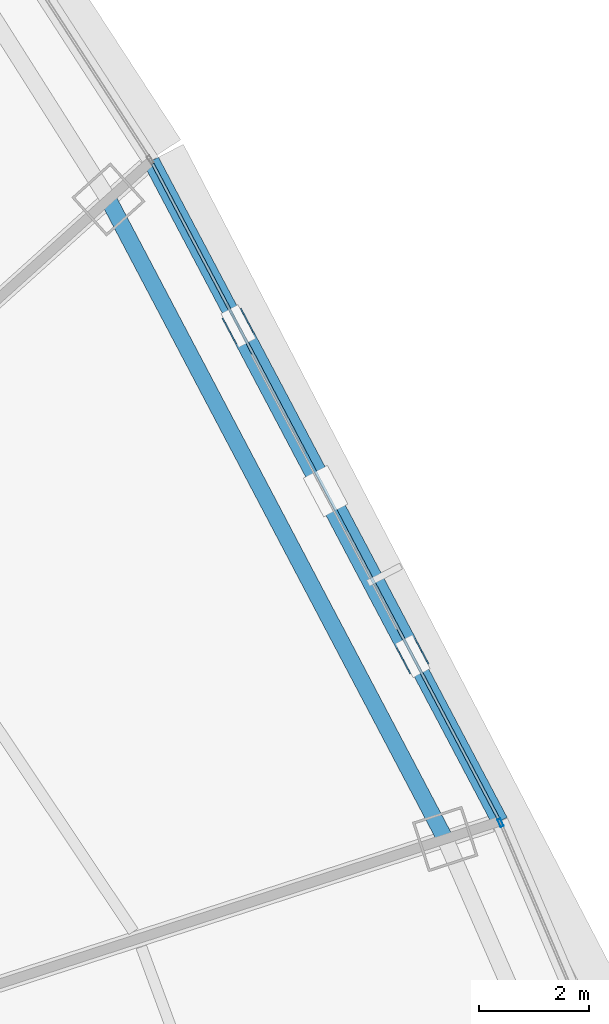
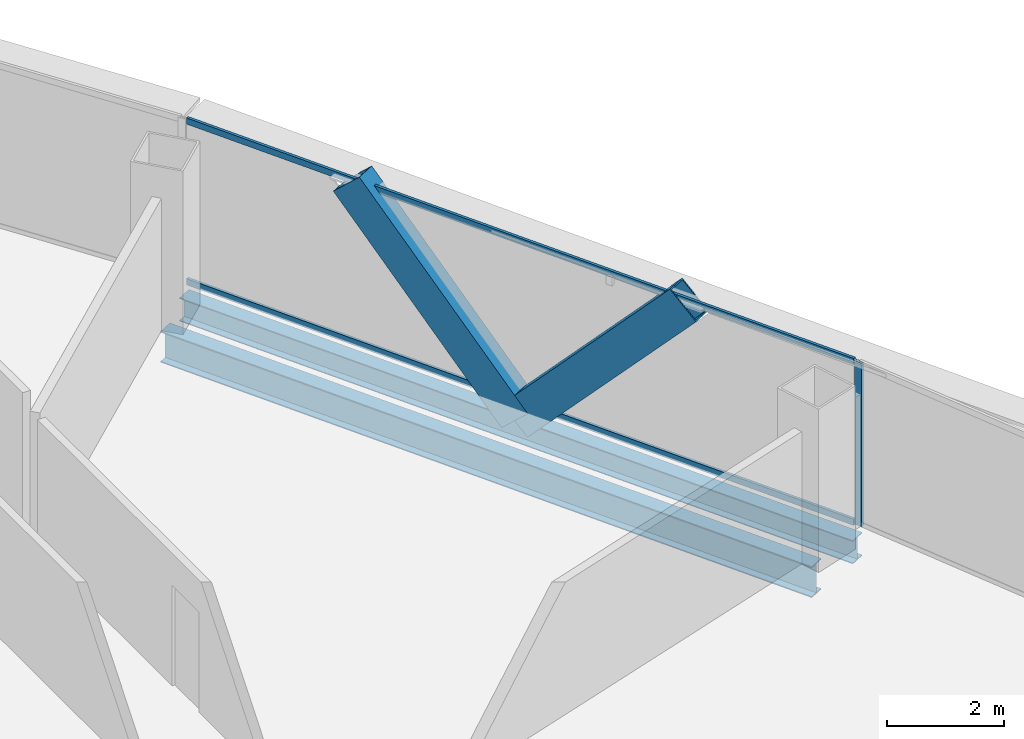
# One storey, part 28 of 39: 5 members, 2 beams, 2 elements without a shape of their own.
"""IFC4 building model written with IfcOpenShell, lengths in metres."""

import ifcopenshell
import ifcopenshell.guid

model = None  # the IFC model being written
_history = None  # IfcOwnerHistory: only IFC2X3 demands one
_inside = {}  # id of a spatial element -> (the spatial element, [elements in it])
_under = {}  # id of a project, library or spatial element -> (it, [spatial elements below it])
_declared = {}  # id of a project -> (the project, [libraries it declares])
_typed = {}  # id of a type object -> (the type object, [elements of that type])
_made_of = {}  # id of a material, layer set ... -> (it, [elements and type objects made of it])


def new_model(schema):
    """Start an empty IFC model of exactly this schema.

    Asked for "IFC4X3", IfcOpenShell would pick the latest addendum, in which some entities
    have other attributes; the version numbers below select the first issue.
    IFC2X3 requires an IfcOwnerHistory on every rooted entity: one is made here for all.
    """
    global model, _history
    if schema == "IFC4X3":
        model = ifcopenshell.file(schema_version=(4, 3, 0, 0))
    else:
        model = ifcopenshell.file(schema=schema)
    _inside.clear()
    _under.clear()
    _declared.clear()
    _typed.clear()
    _made_of.clear()
    _history = None
    if model.schema == "IFC2X3":
        org = make("IfcOrganization", Name="unknown")
        user = make(
            "IfcPersonAndOrganization",
            ThePerson=make("IfcPerson", FamilyName="unknown"),
            TheOrganization=org,
        )
        app = make(
            "IfcApplication",
            ApplicationDeveloper=org,
            Version="unknown",
            ApplicationFullName="unknown",
            ApplicationIdentifier="unknown",
        )
        _history = make(
            "IfcOwnerHistory",
            OwningUser=user,
            OwningApplication=app,
            ChangeAction="ADDED",
            CreationDate=0,
        )
    return model


def make(cls, **values):
    """One entity of the class cls with the attributes given. An attribute that is None is left unset."""
    return model.create_entity(
        cls, **{name: value for name, value in values.items() if value is not None}
    )


def rooted(cls, **values):
    """An entity with a GlobalId (a new one), such as an element, a storey or a relation."""
    return make(cls, GlobalId=ifcopenshell.guid.new(), OwnerHistory=_history, **values)


def si_unit(unit_type, name, prefix=None):
    """IfcSIUnit, for example si_unit("LENGTHUNIT", "METRE", prefix="MILLI")."""
    return make("IfcSIUnit", UnitType=unit_type, Prefix=prefix, Name=name)


def assignment(units):
    """IfcUnitAssignment: the units of a project."""
    return None if units is None else make("IfcUnitAssignment", Units=units)


def point(xyz):
    """IfcCartesianPoint."""
    return None if xyz is None else make("IfcCartesianPoint", Coordinates=xyz)


def direction(xyz):
    """IfcDirection."""
    return None if xyz is None else make("IfcDirection", DirectionRatios=xyz)


def frame(location, z_axis=None, x_axis=None):
    """IfcAxis2Placement3D, a coordinate frame: its origin and axes. An axis left out is left unset."""
    return make(
        "IfcAxis2Placement3D",
        Location=point(location),
        Axis=direction(z_axis),
        RefDirection=direction(x_axis),
    )


def frame_2d(location, x_axis=None):
    """IfcAxis2Placement2D, a coordinate frame in the plane: its origin and x axis."""
    return make(
        "IfcAxis2Placement2D", Location=point(location), RefDirection=direction(x_axis)
    )


def origin():
    """The frame at (0, 0, 0) with its axes left unset."""
    return frame((0.0, 0.0, 0.0))


def origin_2d():
    """The frame at (0, 0) in the plane with its x axis left unset."""
    return frame_2d((0.0, 0.0))


def place(relative_to, where):
    """IfcLocalPlacement: puts the frame where relative to a parent placement (None: the world)."""
    return make(
        "IfcLocalPlacement", PlacementRelTo=relative_to, RelativePlacement=where
    )


def context(
    kind, dimensions, precision=None, world=None, true_north=None, identifier=None
):
    """IfcGeometricRepresentationContext, for example the 3D "Model" context."""
    return make(
        "IfcGeometricRepresentationContext",
        ContextIdentifier=identifier,
        ContextType=kind,
        CoordinateSpaceDimension=dimensions,
        Precision=precision,
        WorldCoordinateSystem=world,
        TrueNorth=true_north,
    )


def subcontext(parent, identifier, kind, view, scale=None):
    """IfcGeometricRepresentationSubContext, for example "Body" below "Model"."""
    return make(
        "IfcGeometricRepresentationSubContext",
        ContextIdentifier=identifier,
        ContextType=kind,
        ParentContext=parent,
        TargetScale=scale,
        TargetView=view,
    )


def project(units=None, contexts=None):
    """IfcProject with its units and contexts."""
    return rooted(
        "IfcProject",
        Name="project",
        RepresentationContexts=contexts,
        UnitsInContext=assignment(units),
    )


def spatial(cls, under=None, at=None, **own):
    """A site, building, storey or space (cls), placed at a placement, below another one or the project."""
    s = rooted(cls, ObjectPlacement=at, **own)
    if under is not None:
        _under.setdefault(under.id(), (under, []))[1].append(s)
    return s


def profile(cls, at=None, kind="AREA", **sizes):
    """A parametric profile (cls). Its sizes go by their IFC names, for example OverallWidth=200.0."""
    return make(cls, ProfileType=kind, Position=at, **sizes)


def hollow_rectangle(**sizes):
    """IfcRectangleHollowProfileDef."""
    return profile("IfcRectangleHollowProfileDef", **sizes)


def i_section(**sizes):
    """IfcIShapeProfileDef."""
    return profile("IfcIShapeProfileDef", **sizes)


def extrude(swept, where, along, depth):
    """IfcExtrudedAreaSolid: the profile swept, set in the frame where, extruded along a direction by depth."""
    return make(
        "IfcExtrudedAreaSolid",
        SweptArea=swept,
        Position=where,
        ExtrudedDirection=direction(along),
        Depth=depth,
    )


def shape(context_of_items, identifier, shape_type, items):
    """IfcShapeRepresentation: the items that make up one representation, for example the "Body"."""
    return make(
        "IfcShapeRepresentation",
        ContextOfItems=context_of_items,
        RepresentationIdentifier=identifier,
        RepresentationType=shape_type,
        Items=items,
    )


def source(mapping_origin, context_of_items, identifier, shape_type, items):
    """IfcRepresentationMap: a shape defined once, which mapped items show again and again."""
    return make(
        "IfcRepresentationMap",
        MappingOrigin=mapping_origin,
        MappedRepresentation=shape(context_of_items, identifier, shape_type, items),
    )


def transform(
    local_origin,
    x_axis=None,
    y_axis=None,
    z_axis=None,
    scale=None,
    scale2=None,
    scale3=None,
    uniform=True,
):
    """IfcCartesianTransformationOperator3D, or its non-uniform kind. x_axis, y_axis, z_axis: its Axis1, 2, 3."""
    if uniform:
        return make(
            "IfcCartesianTransformationOperator3D",
            Axis1=direction(x_axis),
            Axis2=direction(y_axis),
            LocalOrigin=point(local_origin),
            Scale=scale,
            Axis3=direction(z_axis),
        )
    return make(
        "IfcCartesianTransformationOperator3DnonUniform",
        Axis1=direction(x_axis),
        Axis2=direction(y_axis),
        LocalOrigin=point(local_origin),
        Scale=scale,
        Axis3=direction(z_axis),
        Scale2=scale2,
        Scale3=scale3,
    )


def mapped(mapping_source, mapping_target):
    """IfcMappedItem: shows the shape of a source again, moved by a transform."""
    return make(
        "IfcMappedItem", MappingSource=mapping_source, MappingTarget=mapping_target
    )


def material(Name=None, Category=None):
    """IfcMaterial."""
    return make("IfcMaterial", Name=Name, Category=Category)


def layer(
    of_material, thickness, ventilated=None, Name=None, Category=None, Priority=None
):
    """IfcMaterialLayer: one layer of a wall or slab, of a material (None: an air gap)."""
    return make(
        "IfcMaterialLayer",
        Material=of_material,
        LayerThickness=thickness,
        IsVentilated=ventilated,
        Name=Name,
        Category=Category,
        Priority=Priority,
    )


def layer_set(layers, Name=None):
    """IfcMaterialLayerSet."""
    return make("IfcMaterialLayerSet", MaterialLayers=layers, LayerSetName=Name)


def material_profile(
    of_material, cross_section, Name=None, Category=None, Priority=None
):
    """IfcMaterialProfile: a cross section and its material."""
    return make(
        "IfcMaterialProfile",
        Name=Name,
        Material=of_material,
        Profile=cross_section,
        Priority=Priority,
        Category=Category,
    )


def profile_set(profiles, Name=None, composite=None):
    """IfcMaterialProfileSet."""
    return make(
        "IfcMaterialProfileSet",
        Name=Name,
        MaterialProfiles=profiles,
        CompositeProfile=composite,
    )


def made_of(thing, what):
    """Note that an element or type object is made of a material, layer set ...; save() writes the relation."""
    if what is not None:
        _made_of.setdefault(what.id(), (what, []))[1].append(thing)
    return thing


def type_object(cls, material=None, **own):
    """A type object (cls), such as IfcWallType, which elements share."""
    return made_of(rooted(cls, **own), material)


def element(
    cls,
    number,
    at=None,
    inside=None,
    cuts=None,
    type_object=None,
    material=None,
    context=None,
    identifier="Body",
    shape_type=None,
    held_by="IfcProductDefinitionShape",
    body=None,
    shapes=None,
    **own,
):
    """One element of the class cls, such as IfcWall. Its Tag is "e" and its number.

    at: its placement. inside: the storey or other place that contains it. cuts: it is an
    opening in that element (IfcRelVoidsElement). A single representation is given by context,
    identifier, shape_type and body (its items); several are given by shapes. held_by: the class
    of the entity that holds the representations. save() writes the other relations.
    """
    e = rooted(cls, Tag="e%d" % number, ObjectPlacement=at, **own)
    if body is not None:
        shapes = [shape(context, identifier, shape_type, body)]
    if shapes is not None:
        e.Representation = make(held_by, Representations=shapes)
    if inside is not None:
        _inside.setdefault(inside.id(), (inside, []))[1].append(e)
    if cuts is not None:
        rooted(
            "IfcRelVoidsElement", RelatingBuildingElement=cuts, RelatedOpeningElement=e
        )
    if type_object is not None:
        _typed.setdefault(type_object.id(), (type_object, []))[1].append(e)
    return made_of(e, material)


def aggregate(whole, parts):
    """IfcRelAggregates: a whole, such as a stair, and the parts it consists of."""
    return rooted("IfcRelAggregates", RelatingObject=whole, RelatedObjects=parts)


def save(model, path):
    """Write the relations noted so far, then the file.

    IfcRelAggregates (storeys below a building ...), IfcRelContainedInSpatialStructure (elements
    in a storey), IfcRelDefinesByType, IfcRelAssociatesMaterial and IfcRelDeclares: one each for
    every whole, place, type object, material and project.
    """
    for whole, parts in _under.values():
        aggregate(whole, parts)
    for where, things in _inside.values():
        rooted(
            "IfcRelContainedInSpatialStructure",
            RelatedElements=things,
            RelatingStructure=where,
        )
    for kind, things in _typed.values():
        rooted("IfcRelDefinesByType", RelatedObjects=things, RelatingType=kind)
    for what, things in _made_of.values():
        rooted("IfcRelAssociatesMaterial", RelatedObjects=things, RelatingMaterial=what)
    for by, libraries in _declared.values():
        rooted("IfcRelDeclares", RelatingContext=by, RelatedDefinitions=libraries)
    model.write(path)


model = new_model("IFC4")

# Units and contexts
model_context = context("Model", 3, precision=1e-05, world=origin(), true_north=direction((0.0, 1.0)))
body_context = subcontext(model_context, "Body", "Model", "MODEL_VIEW")
ifc_project = project(units=[si_unit("LENGTHUNIT", "METRE"), si_unit("AREAUNIT", "SQUARE_METRE"), si_unit("VOLUMEUNIT", "CUBIC_METRE"), si_unit("PLANEANGLEUNIT", "RADIAN"), si_unit("MASSUNIT", "GRAM", prefix="KILO"), si_unit("THERMODYNAMICTEMPERATUREUNIT", "KELVIN"), si_unit("POWERUNIT", "WATT")], contexts=[model_context])

# Site, building, storey
site_placement = place(None, origin())
site = spatial("IfcSite", under=ifc_project, at=site_placement, CompositionType="ELEMENT")
building_placement = place(site_placement, origin())
building = spatial("IfcBuilding", under=site, at=building_placement, Name="Yunzhuo Pagoda Commons", CompositionType="ELEMENT")
storey_placement = place(building_placement, frame((0.0, 0.0, 166.6298828125)))
storey = spatial("IfcBuildingStorey", under=building, at=storey_placement, Name="L42", CompositionType="ELEMENT", Elevation=166.6298828125)

# Beams
ifc_material_1 = material(Name="Structural steel Q355B", Category="steel")
ifc_material_profile_1 = material_profile(ifc_material_1, i_section(OverallWidth=0.300048828125, OverallDepth=0.64990234375, WebThickness=0.012939453125, FlangeThickness=0.02197265625, at=origin_2d()), Name="Structural steel Q355B")
ifc_profile_set_1 = profile_set([ifc_material_profile_1], Name="Structural steel Q355B")
beam_type_1 = type_object("IfcBeamType", Name="B-RG2 Beam HN 650x300x13x22", PredefinedType="BEAM", material=ifc_profile_set_1)
shared_shape_1 = source(origin(), body_context, "Body", "SweptSolid", [
    extrude(i_section(OverallWidth=0.300048828125, OverallDepth=0.64990234375, WebThickness=0.012939453125, FlangeThickness=0.02197265625, at=origin_2d()), origin(), (0.0, 0.0, 1.0), 13.198974609375),
])
beam_1_placement = place(storey_placement, frame((77.915283203125, 43.420166015625, -0.5849609375), z_axis=(-0.465885937554, 0.884844784801, 0.0), x_axis=(-0.884844784801, -0.465885937554, 0.0)))
element("IfcBeam", 1, at=beam_1_placement, inside=storey, type_object=beam_type_1, Name="L42 column-ring beam 6", PredefinedType="BEAM", context=body_context, shape_type="MappedRepresentation", body=[
    mapped(shared_shape_1, transform((0.0, 0.0, 0.0), scale=1.0)),
])
ifc_material_profile_2 = material_profile(ifc_material_1, i_section(OverallWidth=0.300048828125, OverallDepth=0.488037109375, WebThickness=0.010986328125, FlangeThickness=0.01806640625, at=origin_2d()), Name="Structural steel Q355B")
ifc_profile_set_2 = profile_set([ifc_material_profile_2], Name="Structural steel Q355B")
beam_type_2 = type_object("IfcBeamType", Name="B-SP1 Beam HM 488x300x11x18", PredefinedType="BEAM", material=ifc_profile_set_2)
shared_shape_2 = source(origin(), body_context, "Body", "SweptSolid", [
    extrude(i_section(OverallWidth=0.300048828125, OverallDepth=0.488037109375, WebThickness=0.010986328125, FlangeThickness=0.01806640625, at=origin_2d()), origin(), (0.0, 0.0, 1.0), 13.63525390625),
])
beam_2_placement = place(storey_placement, frame((78.913818359375, 43.74462890625, -0.50390625), z_axis=(-0.466985007002, 0.884265233533, 0.0), x_axis=(-0.884265233533, -0.466985007002, 0.0)))
element("IfcBeam", 2, at=beam_2_placement, inside=storey, type_object=beam_type_2, Name="L42 facade edge spandrel beam F2.2", PredefinedType="BEAM", context=body_context, shape_type="MappedRepresentation", body=[
    mapped(shared_shape_2, transform((0.0, 0.0, 0.0), scale=1.0)),
])

# Members
ifc_material_profile_3 = material_profile(ifc_material_1, hollow_rectangle(XDim=0.39990234375, YDim=0.719970703125, WallThickness=0.02392578125, at=origin_2d()), Name="Structural steel Q355B")
ifc_profile_set_3 = profile_set([ifc_material_profile_3], Name="Structural steel Q355B")
member_type_1 = type_object("IfcMemberType", Name="M-DL2 Brace BOX 720x400x24", PredefinedType="BRACE", material=ifc_profile_set_3)
shared_shape_3 = source(origin(), body_context, "Body", "SweptSolid", [
    extrude(hollow_rectangle(XDim=0.39990234375, YDim=0.719970703125, WallThickness=0.02392578125, at=origin_2d()), origin(), (0.0, 0.0, 1.0), 5.016357421875),
])
for number, where, z_axis, x_axis, name in (
    (3, (75.730224609375, 49.773193359375, -0.259765625), (0.317374454176, -0.600923537144, 0.73359686364), (0.884250862054, 0.46701221928, 0.0), "L42 facade diamond brace F2.2L"),
    (4, (75.730224609375, 49.773193359375, -0.259765625), (-0.317374454176, 0.600923537144, 0.73359686364), (-0.884250862054, -0.46701221928, 0.0), "L42 facade diamond brace F2.2R"),
):
    element("IfcMember", number, at=place(storey_placement, frame(where, z_axis=z_axis, x_axis=x_axis)), inside=storey, type_object=member_type_1, Name=name, PredefinedType="BRACE", context=body_context, shape_type="MappedRepresentation", body=[
        mapped(shared_shape_3, transform((0.0, 0.0, 0.0), scale=1.0)),
    ])

# Curtain wall, member
ifc_material_2 = material(Name="Anodized aluminium 6063-T6", Category="aluminium")
ifc_layer = layer(ifc_material_2, 0.14990234375)
ifc_layer_set = layer_set([ifc_layer], Name="Anodized aluminium 6063-T6")
curtain_wall_type = type_object("IfcCurtainWallType", Name="CW-MID Mid-Zone Ribbon Curtain Wall", PredefinedType="NOTDEFINED", material=ifc_layer_set)
curtain_wall_1_placement = place(storey_placement, origin())
curtain_wall_1 = element("IfcCurtainWall", 5, at=curtain_wall_1_placement, inside=storey, type_object=curtain_wall_type, Name="L42 curtain wall CW-L42-F2B2", PredefinedType="NOTDEFINED")
ifc_material_profile_4 = material_profile(ifc_material_2, hollow_rectangle(XDim=0.06005859375, YDim=0.14990234375, WallThickness=0.00390625, at=origin_2d()), Name="Anodized aluminium 6063-T6")
ifc_profile_set_4 = profile_set([ifc_material_profile_4], Name="Anodized aluminium 6063-T6")
member_type_2 = type_object("IfcMemberType", Name="CW-MID-M Mullion RHS 150x60x4", PredefinedType="MULLION", material=ifc_profile_set_4)
shared_shape_4 = source(origin(), body_context, "Body", "SweptSolid", [
    extrude(hollow_rectangle(XDim=0.06005859375, YDim=0.14990234375, WallThickness=0.00390625, at=origin_2d()), origin(), (0.0, 0.0, 1.0), 3.420166015625),
])
member_1_placement = place(storey_placement, frame((78.925537109375, 43.717041015625, 0.0), z_axis=(0.0, 0.0, 1.0), x_axis=(-0.920363798122, -0.391063267395, 0.0)))
member_1 = element("IfcMember", 6, at=member_1_placement, type_object=member_type_2, Name="CW mullion 2", PredefinedType="MULLION", context=body_context, shape_type="MappedRepresentation", body=[
    mapped(shared_shape_4, transform((0.0, 0.0, 0.0), scale=1.0)),
])
aggregate(curtain_wall_1, [member_1])

# Curtain wall, members
curtain_wall_2_placement = place(storey_placement, origin())
curtain_wall_2 = element("IfcCurtainWall", 7, at=curtain_wall_2_placement, inside=storey, type_object=curtain_wall_type, Name="L42 curtain wall CW-L42-F2B3", PredefinedType="NOTDEFINED")
ifc_material_profile_5 = material_profile(ifc_material_2, hollow_rectangle(XDim=0.054931640625, YDim=0.1298828125, WallThickness=0.00341796875, at=origin_2d()), Name="Anodized aluminium 6063-T6")
ifc_profile_set_5 = profile_set([ifc_material_profile_5], Name="Anodized aluminium 6063-T6")
member_type_3 = type_object("IfcMemberType", Name="CW-MID-T Transom RHS 130x55x3.5", PredefinedType="USERDEFINED", material=ifc_profile_set_5)
shared_shape_5 = source(origin(), body_context, "Body", "SweptSolid", [
    extrude(hollow_rectangle(XDim=0.054931640625, YDim=0.1298828125, WallThickness=0.00341796875, at=origin_2d()), origin(), (0.0, 0.0, 1.0), 13.51513671875),
])
member_2_placement = place(storey_placement, frame((78.885986328125, 43.797607421875, 0.027587890625), z_axis=(-0.466995257816, 0.88425981995, 0.0), x_axis=(-0.88425981995, -0.466995257816, 0.0)))
member_2 = element("IfcMember", 8, at=member_2_placement, type_object=member_type_3, Name="CW transom 1.1", ObjectType="TRANSOM", PredefinedType="USERDEFINED", context=body_context, shape_type="MappedRepresentation", body=[
    mapped(shared_shape_5, transform((0.0, 0.0, 0.0), scale=1.0)),
])
member_3_placement = place(storey_placement, frame((78.885986328125, 43.797607421875, 3.392578125), z_axis=(-0.466995257816, 0.88425981995, 0.0), x_axis=(-0.88425981995, -0.466995257816, 0.0)))
member_3 = element("IfcMember", 9, at=member_3_placement, type_object=member_type_3, Name="CW transom 1.2", ObjectType="TRANSOM", PredefinedType="USERDEFINED", context=body_context, shape_type="MappedRepresentation", body=[
    mapped(shared_shape_5, transform((0.0, 0.0, 0.0), scale=1.0)),
])
aggregate(curtain_wall_2, [member_2, member_3])

save(model, "model.ifc")
